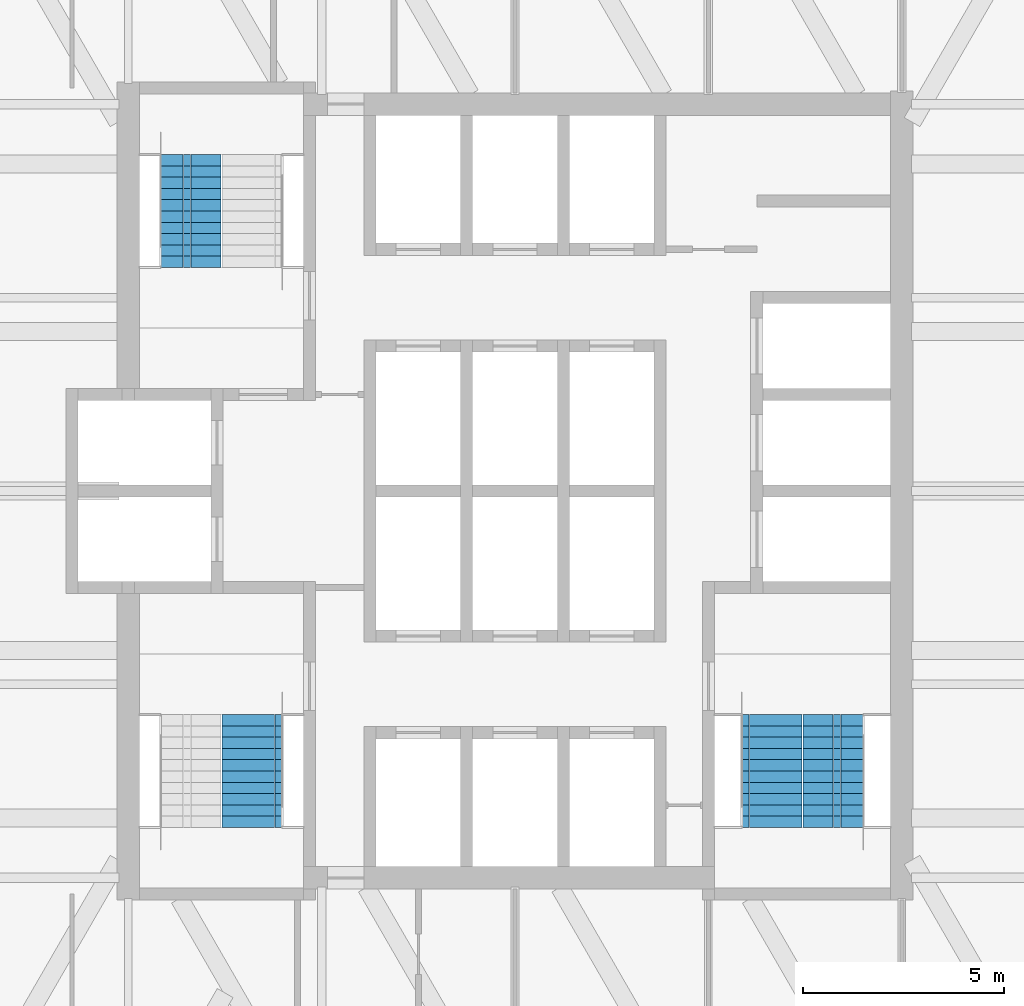
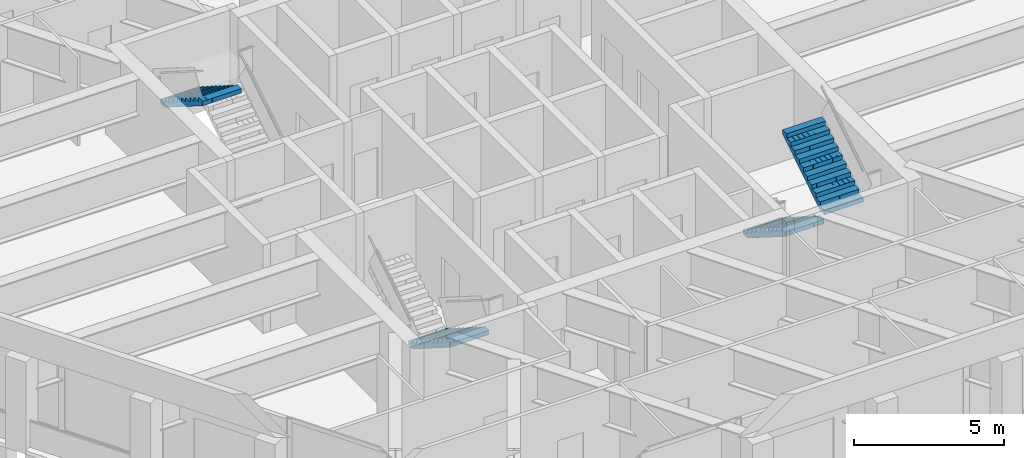
# One storey, part 11 of 14: 4 stair flights, 3 elements without a shape of their own.
"""IFC4 building model written with IfcOpenShell, lengths in metres."""

from ifc_helpers import new_model, si_unit, direction, frame, origin, place, context, subcontext, project, spatial, polyline, outline, extrude, material, type_object, element, aggregate, save


model = new_model("IFC4")

# Units and contexts
model_context = context("Model", 3, precision=1e-05, world=origin(), true_north=direction((0.0, 1.0)))
body_context = subcontext(model_context, "Body", "Model", "MODEL_VIEW")
ifc_project = project(units=[si_unit("LENGTHUNIT", "METRE"), si_unit("AREAUNIT", "SQUARE_METRE"), si_unit("VOLUMEUNIT", "CUBIC_METRE"), si_unit("PLANEANGLEUNIT", "RADIAN"), si_unit("MASSUNIT", "GRAM", prefix="KILO")], contexts=[model_context])

# Site, building, storey
site_placement = place(None, origin())
site = spatial("IfcSite", under=ifc_project, at=site_placement, CompositionType="ELEMENT")
building_placement = place(site_placement, origin())
building = spatial("IfcBuilding", under=site, at=building_placement, Name="Kolab Exchange Tower", CompositionType="ELEMENT")
storey_placement = place(building_placement, frame((0.0, 0.0, 293.0)))
storey = spatial("IfcBuildingStorey", under=building, at=storey_placement, Name="L66", CompositionType="ELEMENT", Elevation=293.0)

# Stair, stair flight
ifc_material = material(Name="Concrete C50/60", Category="concrete")
stair_type_1 = type_object("IfcStairType", Name="STAIR ST1 RISER 177.3", PredefinedType="HALF_TURN_STAIR", material=ifc_material)
stair_1_placement = place(storey_placement, origin())
stair_1 = element("IfcStair", 1, at=stair_1_placement, inside=storey, type_object=stair_type_1, Name="Stair 1", PredefinedType="HALF_TURN_STAIR")
stair_flight_type = type_object("IfcStairFlightType", Name="STAIR FLIGHT 1500 RISER 177.3", PredefinedType="STRAIGHT", material=ifc_material)
stair_flight_1_placement = place(storey_placement, frame((-8.047607421875, 8.35009765625, 1.949951171875), z_axis=(0.0, 0.0, 1.0), x_axis=(0.0, -1.0, 0.0)))
stair_flight_1 = element("IfcStairFlight", 2, at=stair_flight_1_placement, type_object=stair_flight_type, Name="ST1 flight 2", NumberOfRisers=11, NumberOfTreads=10, PredefinedType="STRAIGHT", RiserHeight=0.177272727, TreadLength=0.28, context=body_context, shape_type="SweptSolid", body=[
    extrude(outline(polyline([(0.0, 0.0), (0.0, 0.17724609375), (0.280029296875, 0.17724609375), (0.280029296875, 0.3544921875), (0.56005859375, 0.3544921875), (0.56005859375, 0.53173828125), (0.840087890625, 0.53173828125), (0.840087890625, 0.708984375), (1.1201171875, 0.708984375), (1.1201171875, 0.886474609375), (1.39990234375, 0.886474609375), (1.39990234375, 1.063720703125), (1.679931640625, 1.063720703125), (1.679931640625, 1.240966796875), (1.9599609375, 1.240966796875), (1.9599609375, 1.418212890625), (2.239990234375, 1.418212890625), (2.239990234375, 1.595458984375), (2.52001953125, 1.595458984375), (2.52001953125, 1.772705078125), (2.800048828125, 1.772705078125), (2.800048828125, 1.949951171875), (2.800048828125, 1.59521484375), (0.2802734375, 0.0), (0.0, 0.0)])), frame((0.0, 0.75, 0.0), z_axis=(0.0, -1.0, 0.0), x_axis=(1.0, 0.0, 0.0)), (0.0, 0.0, 1.0), 0.185791015625),
    extrude(outline(polyline([(0.0, 0.0), (0.0, 0.17724609375), (0.280029296875, 0.17724609375), (0.280029296875, 0.3544921875), (0.56005859375, 0.3544921875), (0.56005859375, 0.53173828125), (0.840087890625, 0.53173828125), (0.840087890625, 0.708984375), (1.1201171875, 0.708984375), (1.1201171875, 0.886474609375), (1.39990234375, 0.886474609375), (1.39990234375, 1.063720703125), (1.679931640625, 1.063720703125), (1.679931640625, 1.240966796875), (1.9599609375, 1.240966796875), (1.9599609375, 1.418212890625), (2.239990234375, 1.418212890625), (2.239990234375, 1.595458984375), (2.52001953125, 1.595458984375), (2.52001953125, 1.772705078125), (2.800048828125, 1.772705078125), (2.800048828125, 1.949951171875), (2.800048828125, 1.59521484375), (0.2802734375, 0.0), (0.0, 0.0)])), frame((0.0, 0.562255859375, 0.0), z_axis=(0.0, -1.0, 0.0), x_axis=(1.0, 0.0, 0.0)), (0.0, 0.0, 1.0), 0.185791015625),
    extrude(outline(polyline([(0.0, 0.0), (0.0, 0.17724609375), (0.280029296875, 0.17724609375), (0.280029296875, 0.3544921875), (0.56005859375, 0.3544921875), (0.56005859375, 0.53173828125), (0.840087890625, 0.53173828125), (0.840087890625, 0.708984375), (1.1201171875, 0.708984375), (1.1201171875, 0.886474609375), (1.39990234375, 0.886474609375), (1.39990234375, 1.063720703125), (1.679931640625, 1.063720703125), (1.679931640625, 1.240966796875), (1.9599609375, 1.240966796875), (1.9599609375, 1.418212890625), (2.239990234375, 1.418212890625), (2.239990234375, 1.595458984375), (2.52001953125, 1.595458984375), (2.52001953125, 1.772705078125), (2.800048828125, 1.772705078125), (2.800048828125, 1.949951171875), (2.800048828125, 1.59521484375), (0.2802734375, 0.0), (0.0, 0.0)])), frame((0.0, 0.37451171875, 0.0), z_axis=(0.0, -1.0, 0.0), x_axis=(1.0, 0.0, 0.0)), (0.0, 0.0, 1.0), 0.185791015625),
    extrude(outline(polyline([(0.0, 0.0), (0.0, 0.17724609375), (0.280029296875, 0.17724609375), (0.280029296875, 0.3544921875), (0.56005859375, 0.3544921875), (0.56005859375, 0.53173828125), (0.840087890625, 0.53173828125), (0.840087890625, 0.708984375), (1.1201171875, 0.708984375), (1.1201171875, 0.886474609375), (1.39990234375, 0.886474609375), (1.39990234375, 1.063720703125), (1.679931640625, 1.063720703125), (1.679931640625, 1.240966796875), (1.9599609375, 1.240966796875), (1.9599609375, 1.418212890625), (2.239990234375, 1.418212890625), (2.239990234375, 1.595458984375), (2.52001953125, 1.595458984375), (2.52001953125, 1.772705078125), (2.800048828125, 1.772705078125), (2.800048828125, 1.949951171875), (2.800048828125, 1.59521484375), (0.2802734375, 0.0), (0.0, 0.0)])), frame((0.0, 0.186767578125, 0.0), z_axis=(0.0, -1.0, 0.0), x_axis=(1.0, 0.0, 0.0)), (0.0, 0.0, 1.0), 0.185791015625),
    extrude(outline(polyline([(0.0, 0.0), (0.0, 0.17724609375), (0.280029296875, 0.17724609375), (0.280029296875, 0.3544921875), (0.56005859375, 0.3544921875), (0.56005859375, 0.53173828125), (0.840087890625, 0.53173828125), (0.840087890625, 0.708984375), (1.1201171875, 0.708984375), (1.1201171875, 0.886474609375), (1.39990234375, 0.886474609375), (1.39990234375, 1.063720703125), (1.679931640625, 1.063720703125), (1.679931640625, 1.240966796875), (1.9599609375, 1.240966796875), (1.9599609375, 1.418212890625), (2.239990234375, 1.418212890625), (2.239990234375, 1.595458984375), (2.52001953125, 1.595458984375), (2.52001953125, 1.772705078125), (2.800048828125, 1.772705078125), (2.800048828125, 1.949951171875), (2.800048828125, 1.59521484375), (0.2802734375, 0.0), (0.0, 0.0)])), frame((0.0, -0.0009765625, 0.0), z_axis=(0.0, -1.0, 0.0), x_axis=(1.0, 0.0, 0.0)), (0.0, 0.0, 1.0), 0.185791015625),
    extrude(outline(polyline([(0.0, 0.0), (0.0, 0.17724609375), (0.280029296875, 0.17724609375), (0.280029296875, 0.3544921875), (0.56005859375, 0.3544921875), (0.56005859375, 0.53173828125), (0.840087890625, 0.53173828125), (0.840087890625, 0.708984375), (1.1201171875, 0.708984375), (1.1201171875, 0.886474609375), (1.39990234375, 0.886474609375), (1.39990234375, 1.063720703125), (1.679931640625, 1.063720703125), (1.679931640625, 1.240966796875), (1.9599609375, 1.240966796875), (1.9599609375, 1.418212890625), (2.239990234375, 1.418212890625), (2.239990234375, 1.595458984375), (2.52001953125, 1.595458984375), (2.52001953125, 1.772705078125), (2.800048828125, 1.772705078125), (2.800048828125, 1.949951171875), (2.800048828125, 1.59521484375), (0.2802734375, 0.0), (0.0, 0.0)])), frame((0.0, -0.188720703125, 0.0), z_axis=(0.0, -1.0, 0.0), x_axis=(1.0, 0.0, 0.0)), (0.0, 0.0, 1.0), 0.185791015625),
    extrude(outline(polyline([(0.0, 0.0), (0.0, 0.17724609375), (0.280029296875, 0.17724609375), (0.280029296875, 0.3544921875), (0.56005859375, 0.3544921875), (0.56005859375, 0.53173828125), (0.840087890625, 0.53173828125), (0.840087890625, 0.708984375), (1.1201171875, 0.708984375), (1.1201171875, 0.886474609375), (1.39990234375, 0.886474609375), (1.39990234375, 1.063720703125), (1.679931640625, 1.063720703125), (1.679931640625, 1.240966796875), (1.9599609375, 1.240966796875), (1.9599609375, 1.418212890625), (2.239990234375, 1.418212890625), (2.239990234375, 1.595458984375), (2.52001953125, 1.595458984375), (2.52001953125, 1.772705078125), (2.800048828125, 1.772705078125), (2.800048828125, 1.949951171875), (2.800048828125, 1.59521484375), (0.2802734375, 0.0), (0.0, 0.0)])), frame((0.0, -0.37646484375, 0.0), z_axis=(0.0, -1.0, 0.0), x_axis=(1.0, 0.0, 0.0)), (0.0, 0.0, 1.0), 0.185791015625),
    extrude(outline(polyline([(0.0, 0.0), (0.0, 0.17724609375), (0.280029296875, 0.17724609375), (0.280029296875, 0.3544921875), (0.56005859375, 0.3544921875), (0.56005859375, 0.53173828125), (0.840087890625, 0.53173828125), (0.840087890625, 0.708984375), (1.1201171875, 0.708984375), (1.1201171875, 0.886474609375), (1.39990234375, 0.886474609375), (1.39990234375, 1.063720703125), (1.679931640625, 1.063720703125), (1.679931640625, 1.240966796875), (1.9599609375, 1.240966796875), (1.9599609375, 1.418212890625), (2.239990234375, 1.418212890625), (2.239990234375, 1.595458984375), (2.52001953125, 1.595458984375), (2.52001953125, 1.772705078125), (2.800048828125, 1.772705078125), (2.800048828125, 1.949951171875), (2.800048828125, 1.59521484375), (0.2802734375, 0.0), (0.0, 0.0)])), frame((0.0, -0.564208984375, 0.0), z_axis=(0.0, -1.0, 0.0), x_axis=(1.0, 0.0, 0.0)), (0.0, 0.0, 1.0), 0.185791015625),
])
aggregate(stair_1, [stair_flight_1])

stair_type_2 = type_object("IfcStairType", Name="STAIR ST3 RISER 177.3", PredefinedType="HALF_TURN_STAIR", material=ifc_material)
stair_2_placement = place(storey_placement, origin())
stair_2 = element("IfcStair", 3, at=stair_2_placement, inside=storey, type_object=stair_type_2, Name="Stair 3", PredefinedType="HALF_TURN_STAIR")
stair_flight_2_placement = place(storey_placement, frame((-6.527587890625, -5.550048828125, 0.0), z_axis=(0.0, 0.0, 1.0), x_axis=(0.0, -1.0, 0.0)))
stair_flight_2 = element("IfcStairFlight", 4, at=stair_flight_2_placement, type_object=stair_flight_type, Name="ST3 flight 1", NumberOfRisers=11, NumberOfTreads=10, PredefinedType="STRAIGHT", RiserHeight=0.177272727, TreadLength=0.28, context=body_context, shape_type="SweptSolid", body=[
    extrude(outline(polyline([(0.0, 0.0), (0.0, 0.17724609375), (0.280029296875, 0.17724609375), (0.280029296875, 0.3544921875), (0.56005859375, 0.3544921875), (0.56005859375, 0.53173828125), (0.840087890625, 0.53173828125), (0.840087890625, 0.708984375), (1.1201171875, 0.708984375), (1.1201171875, 0.886474609375), (1.39990234375, 0.886474609375), (1.39990234375, 1.063720703125), (1.679931640625, 1.063720703125), (1.679931640625, 1.240966796875), (1.9599609375, 1.240966796875), (1.9599609375, 1.418212890625), (2.239990234375, 1.418212890625), (2.239990234375, 1.595458984375), (2.52001953125, 1.595458984375), (2.52001953125, 1.772705078125), (2.800048828125, 1.772705078125), (2.800048828125, 1.949951171875), (2.800048828125, 1.59521484375), (0.2802734375, 0.0), (0.0, 0.0)])), frame((0.0, 0.75, 0.0), z_axis=(0.0, -1.0, 0.0), x_axis=(1.0, 0.0, 0.0)), (0.0, 0.0, 1.0), 0.185791015625),
    extrude(outline(polyline([(0.0, 0.0), (0.0, 0.17724609375), (0.280029296875, 0.17724609375), (0.280029296875, 0.3544921875), (0.56005859375, 0.3544921875), (0.56005859375, 0.53173828125), (0.840087890625, 0.53173828125), (0.840087890625, 0.708984375), (1.1201171875, 0.708984375), (1.1201171875, 0.886474609375), (1.39990234375, 0.886474609375), (1.39990234375, 1.063720703125), (1.679931640625, 1.063720703125), (1.679931640625, 1.240966796875), (1.9599609375, 1.240966796875), (1.9599609375, 1.418212890625), (2.239990234375, 1.418212890625), (2.239990234375, 1.595458984375), (2.52001953125, 1.595458984375), (2.52001953125, 1.772705078125), (2.800048828125, 1.772705078125), (2.800048828125, 1.949951171875), (2.800048828125, 1.59521484375), (0.2802734375, 0.0), (0.0, 0.0)])), frame((0.0, 0.562255859375, 0.0), z_axis=(0.0, -1.0, 0.0), x_axis=(1.0, 0.0, 0.0)), (0.0, 0.0, 1.0), 0.185791015625),
    extrude(outline(polyline([(0.0, 0.0), (0.0, 0.17724609375), (0.280029296875, 0.17724609375), (0.280029296875, 0.3544921875), (0.56005859375, 0.3544921875), (0.56005859375, 0.53173828125), (0.840087890625, 0.53173828125), (0.840087890625, 0.708984375), (1.1201171875, 0.708984375), (1.1201171875, 0.886474609375), (1.39990234375, 0.886474609375), (1.39990234375, 1.063720703125), (1.679931640625, 1.063720703125), (1.679931640625, 1.240966796875), (1.9599609375, 1.240966796875), (1.9599609375, 1.418212890625), (2.239990234375, 1.418212890625), (2.239990234375, 1.595458984375), (2.52001953125, 1.595458984375), (2.52001953125, 1.772705078125), (2.800048828125, 1.772705078125), (2.800048828125, 1.949951171875), (2.800048828125, 1.59521484375), (0.2802734375, 0.0), (0.0, 0.0)])), frame((0.0, 0.37451171875, 0.0), z_axis=(0.0, -1.0, 0.0), x_axis=(1.0, 0.0, 0.0)), (0.0, 0.0, 1.0), 0.185791015625),
    extrude(outline(polyline([(0.0, 0.0), (0.0, 0.17724609375), (0.280029296875, 0.17724609375), (0.280029296875, 0.3544921875), (0.56005859375, 0.3544921875), (0.56005859375, 0.53173828125), (0.840087890625, 0.53173828125), (0.840087890625, 0.708984375), (1.1201171875, 0.708984375), (1.1201171875, 0.886474609375), (1.39990234375, 0.886474609375), (1.39990234375, 1.063720703125), (1.679931640625, 1.063720703125), (1.679931640625, 1.240966796875), (1.9599609375, 1.240966796875), (1.9599609375, 1.418212890625), (2.239990234375, 1.418212890625), (2.239990234375, 1.595458984375), (2.52001953125, 1.595458984375), (2.52001953125, 1.772705078125), (2.800048828125, 1.772705078125), (2.800048828125, 1.949951171875), (2.800048828125, 1.59521484375), (0.2802734375, 0.0), (0.0, 0.0)])), frame((0.0, 0.186767578125, 0.0), z_axis=(0.0, -1.0, 0.0), x_axis=(1.0, 0.0, 0.0)), (0.0, 0.0, 1.0), 0.185791015625),
    extrude(outline(polyline([(0.0, 0.0), (0.0, 0.17724609375), (0.280029296875, 0.17724609375), (0.280029296875, 0.3544921875), (0.56005859375, 0.3544921875), (0.56005859375, 0.53173828125), (0.840087890625, 0.53173828125), (0.840087890625, 0.708984375), (1.1201171875, 0.708984375), (1.1201171875, 0.886474609375), (1.39990234375, 0.886474609375), (1.39990234375, 1.063720703125), (1.679931640625, 1.063720703125), (1.679931640625, 1.240966796875), (1.9599609375, 1.240966796875), (1.9599609375, 1.418212890625), (2.239990234375, 1.418212890625), (2.239990234375, 1.595458984375), (2.52001953125, 1.595458984375), (2.52001953125, 1.772705078125), (2.800048828125, 1.772705078125), (2.800048828125, 1.949951171875), (2.800048828125, 1.59521484375), (0.2802734375, 0.0), (0.0, 0.0)])), frame((0.0, -0.0009765625, 0.0), z_axis=(0.0, -1.0, 0.0), x_axis=(1.0, 0.0, 0.0)), (0.0, 0.0, 1.0), 0.185791015625),
    extrude(outline(polyline([(0.0, 0.0), (0.0, 0.17724609375), (0.280029296875, 0.17724609375), (0.280029296875, 0.3544921875), (0.56005859375, 0.3544921875), (0.56005859375, 0.53173828125), (0.840087890625, 0.53173828125), (0.840087890625, 0.708984375), (1.1201171875, 0.708984375), (1.1201171875, 0.886474609375), (1.39990234375, 0.886474609375), (1.39990234375, 1.063720703125), (1.679931640625, 1.063720703125), (1.679931640625, 1.240966796875), (1.9599609375, 1.240966796875), (1.9599609375, 1.418212890625), (2.239990234375, 1.418212890625), (2.239990234375, 1.595458984375), (2.52001953125, 1.595458984375), (2.52001953125, 1.772705078125), (2.800048828125, 1.772705078125), (2.800048828125, 1.949951171875), (2.800048828125, 1.59521484375), (0.2802734375, 0.0), (0.0, 0.0)])), frame((0.0, -0.188720703125, 0.0), z_axis=(0.0, -1.0, 0.0), x_axis=(1.0, 0.0, 0.0)), (0.0, 0.0, 1.0), 0.185791015625),
    extrude(outline(polyline([(0.0, 0.0), (0.0, 0.17724609375), (0.280029296875, 0.17724609375), (0.280029296875, 0.3544921875), (0.56005859375, 0.3544921875), (0.56005859375, 0.53173828125), (0.840087890625, 0.53173828125), (0.840087890625, 0.708984375), (1.1201171875, 0.708984375), (1.1201171875, 0.886474609375), (1.39990234375, 0.886474609375), (1.39990234375, 1.063720703125), (1.679931640625, 1.063720703125), (1.679931640625, 1.240966796875), (1.9599609375, 1.240966796875), (1.9599609375, 1.418212890625), (2.239990234375, 1.418212890625), (2.239990234375, 1.595458984375), (2.52001953125, 1.595458984375), (2.52001953125, 1.772705078125), (2.800048828125, 1.772705078125), (2.800048828125, 1.949951171875), (2.800048828125, 1.59521484375), (0.2802734375, 0.0), (0.0, 0.0)])), frame((0.0, -0.37646484375, 0.0), z_axis=(0.0, -1.0, 0.0), x_axis=(1.0, 0.0, 0.0)), (0.0, 0.0, 1.0), 0.185791015625),
    extrude(outline(polyline([(0.0, 0.0), (0.0, 0.17724609375), (0.280029296875, 0.17724609375), (0.280029296875, 0.3544921875), (0.56005859375, 0.3544921875), (0.56005859375, 0.53173828125), (0.840087890625, 0.53173828125), (0.840087890625, 0.708984375), (1.1201171875, 0.708984375), (1.1201171875, 0.886474609375), (1.39990234375, 0.886474609375), (1.39990234375, 1.063720703125), (1.679931640625, 1.063720703125), (1.679931640625, 1.240966796875), (1.9599609375, 1.240966796875), (1.9599609375, 1.418212890625), (2.239990234375, 1.418212890625), (2.239990234375, 1.595458984375), (2.52001953125, 1.595458984375), (2.52001953125, 1.772705078125), (2.800048828125, 1.772705078125), (2.800048828125, 1.949951171875), (2.800048828125, 1.59521484375), (0.2802734375, 0.0), (0.0, 0.0)])), frame((0.0, -0.564208984375, 0.0), z_axis=(0.0, -1.0, 0.0), x_axis=(1.0, 0.0, 0.0)), (0.0, 0.0, 1.0), 0.185791015625),
])
aggregate(stair_2, [stair_flight_2])

# Stair, stair flights
stair_type_3 = type_object("IfcStairType", Name="STAIR ST2 RISER 177.3", PredefinedType="HALF_TURN_STAIR", material=ifc_material)
stair_3_placement = place(storey_placement, origin())
stair_3 = element("IfcStair", 5, at=stair_3_placement, inside=storey, type_object=stair_type_3, Name="Stair 2", PredefinedType="HALF_TURN_STAIR")
stair_flight_3_placement = place(storey_placement, frame((6.37744140625, -5.550048828125, 0.0), z_axis=(0.0, 0.0, 1.0), x_axis=(0.0, -1.0, 0.0)))
stair_flight_3 = element("IfcStairFlight", 6, at=stair_flight_3_placement, type_object=stair_flight_type, Name="ST2 flight 1", NumberOfRisers=11, NumberOfTreads=10, PredefinedType="STRAIGHT", RiserHeight=0.177272727, TreadLength=0.28, context=body_context, shape_type="SweptSolid", body=[
    extrude(outline(polyline([(0.0, 0.0), (0.0, 0.17724609375), (0.280029296875, 0.17724609375), (0.280029296875, 0.3544921875), (0.56005859375, 0.3544921875), (0.56005859375, 0.53173828125), (0.840087890625, 0.53173828125), (0.840087890625, 0.708984375), (1.1201171875, 0.708984375), (1.1201171875, 0.886474609375), (1.39990234375, 0.886474609375), (1.39990234375, 1.063720703125), (1.679931640625, 1.063720703125), (1.679931640625, 1.240966796875), (1.9599609375, 1.240966796875), (1.9599609375, 1.418212890625), (2.239990234375, 1.418212890625), (2.239990234375, 1.595458984375), (2.52001953125, 1.595458984375), (2.52001953125, 1.772705078125), (2.800048828125, 1.772705078125), (2.800048828125, 1.949951171875), (2.800048828125, 1.59521484375), (0.2802734375, 0.0), (0.0, 0.0)])), frame((0.0, 0.75, 0.0), z_axis=(0.0, -1.0, 0.0), x_axis=(1.0, 0.0, 0.0)), (0.0, 0.0, 1.0), 0.185791015625),
    extrude(outline(polyline([(0.0, 0.0), (0.0, 0.17724609375), (0.280029296875, 0.17724609375), (0.280029296875, 0.3544921875), (0.56005859375, 0.3544921875), (0.56005859375, 0.53173828125), (0.840087890625, 0.53173828125), (0.840087890625, 0.708984375), (1.1201171875, 0.708984375), (1.1201171875, 0.886474609375), (1.39990234375, 0.886474609375), (1.39990234375, 1.063720703125), (1.679931640625, 1.063720703125), (1.679931640625, 1.240966796875), (1.9599609375, 1.240966796875), (1.9599609375, 1.418212890625), (2.239990234375, 1.418212890625), (2.239990234375, 1.595458984375), (2.52001953125, 1.595458984375), (2.52001953125, 1.772705078125), (2.800048828125, 1.772705078125), (2.800048828125, 1.949951171875), (2.800048828125, 1.59521484375), (0.2802734375, 0.0), (0.0, 0.0)])), frame((0.0, 0.562255859375, 0.0), z_axis=(0.0, -1.0, 0.0), x_axis=(1.0, 0.0, 0.0)), (0.0, 0.0, 1.0), 0.185791015625),
    extrude(outline(polyline([(0.0, 0.0), (0.0, 0.17724609375), (0.280029296875, 0.17724609375), (0.280029296875, 0.3544921875), (0.56005859375, 0.3544921875), (0.56005859375, 0.53173828125), (0.840087890625, 0.53173828125), (0.840087890625, 0.708984375), (1.1201171875, 0.708984375), (1.1201171875, 0.886474609375), (1.39990234375, 0.886474609375), (1.39990234375, 1.063720703125), (1.679931640625, 1.063720703125), (1.679931640625, 1.240966796875), (1.9599609375, 1.240966796875), (1.9599609375, 1.418212890625), (2.239990234375, 1.418212890625), (2.239990234375, 1.595458984375), (2.52001953125, 1.595458984375), (2.52001953125, 1.772705078125), (2.800048828125, 1.772705078125), (2.800048828125, 1.949951171875), (2.800048828125, 1.59521484375), (0.2802734375, 0.0), (0.0, 0.0)])), frame((0.0, 0.37451171875, 0.0), z_axis=(0.0, -1.0, 0.0), x_axis=(1.0, 0.0, 0.0)), (0.0, 0.0, 1.0), 0.185791015625),
    extrude(outline(polyline([(0.0, 0.0), (0.0, 0.17724609375), (0.280029296875, 0.17724609375), (0.280029296875, 0.3544921875), (0.56005859375, 0.3544921875), (0.56005859375, 0.53173828125), (0.840087890625, 0.53173828125), (0.840087890625, 0.708984375), (1.1201171875, 0.708984375), (1.1201171875, 0.886474609375), (1.39990234375, 0.886474609375), (1.39990234375, 1.063720703125), (1.679931640625, 1.063720703125), (1.679931640625, 1.240966796875), (1.9599609375, 1.240966796875), (1.9599609375, 1.418212890625), (2.239990234375, 1.418212890625), (2.239990234375, 1.595458984375), (2.52001953125, 1.595458984375), (2.52001953125, 1.772705078125), (2.800048828125, 1.772705078125), (2.800048828125, 1.949951171875), (2.800048828125, 1.59521484375), (0.2802734375, 0.0), (0.0, 0.0)])), frame((0.0, 0.186767578125, 0.0), z_axis=(0.0, -1.0, 0.0), x_axis=(1.0, 0.0, 0.0)), (0.0, 0.0, 1.0), 0.185791015625),
    extrude(outline(polyline([(0.0, 0.0), (0.0, 0.17724609375), (0.280029296875, 0.17724609375), (0.280029296875, 0.3544921875), (0.56005859375, 0.3544921875), (0.56005859375, 0.53173828125), (0.840087890625, 0.53173828125), (0.840087890625, 0.708984375), (1.1201171875, 0.708984375), (1.1201171875, 0.886474609375), (1.39990234375, 0.886474609375), (1.39990234375, 1.063720703125), (1.679931640625, 1.063720703125), (1.679931640625, 1.240966796875), (1.9599609375, 1.240966796875), (1.9599609375, 1.418212890625), (2.239990234375, 1.418212890625), (2.239990234375, 1.595458984375), (2.52001953125, 1.595458984375), (2.52001953125, 1.772705078125), (2.800048828125, 1.772705078125), (2.800048828125, 1.949951171875), (2.800048828125, 1.59521484375), (0.2802734375, 0.0), (0.0, 0.0)])), frame((0.0, -0.0009765625, 0.0), z_axis=(0.0, -1.0, 0.0), x_axis=(1.0, 0.0, 0.0)), (0.0, 0.0, 1.0), 0.185791015625),
    extrude(outline(polyline([(0.0, 0.0), (0.0, 0.17724609375), (0.280029296875, 0.17724609375), (0.280029296875, 0.3544921875), (0.56005859375, 0.3544921875), (0.56005859375, 0.53173828125), (0.840087890625, 0.53173828125), (0.840087890625, 0.708984375), (1.1201171875, 0.708984375), (1.1201171875, 0.886474609375), (1.39990234375, 0.886474609375), (1.39990234375, 1.063720703125), (1.679931640625, 1.063720703125), (1.679931640625, 1.240966796875), (1.9599609375, 1.240966796875), (1.9599609375, 1.418212890625), (2.239990234375, 1.418212890625), (2.239990234375, 1.595458984375), (2.52001953125, 1.595458984375), (2.52001953125, 1.772705078125), (2.800048828125, 1.772705078125), (2.800048828125, 1.949951171875), (2.800048828125, 1.59521484375), (0.2802734375, 0.0), (0.0, 0.0)])), frame((0.0, -0.188720703125, 0.0), z_axis=(0.0, -1.0, 0.0), x_axis=(1.0, 0.0, 0.0)), (0.0, 0.0, 1.0), 0.185791015625),
    extrude(outline(polyline([(0.0, 0.0), (0.0, 0.17724609375), (0.280029296875, 0.17724609375), (0.280029296875, 0.3544921875), (0.56005859375, 0.3544921875), (0.56005859375, 0.53173828125), (0.840087890625, 0.53173828125), (0.840087890625, 0.708984375), (1.1201171875, 0.708984375), (1.1201171875, 0.886474609375), (1.39990234375, 0.886474609375), (1.39990234375, 1.063720703125), (1.679931640625, 1.063720703125), (1.679931640625, 1.240966796875), (1.9599609375, 1.240966796875), (1.9599609375, 1.418212890625), (2.239990234375, 1.418212890625), (2.239990234375, 1.595458984375), (2.52001953125, 1.595458984375), (2.52001953125, 1.772705078125), (2.800048828125, 1.772705078125), (2.800048828125, 1.949951171875), (2.800048828125, 1.59521484375), (0.2802734375, 0.0), (0.0, 0.0)])), frame((0.0, -0.37646484375, 0.0), z_axis=(0.0, -1.0, 0.0), x_axis=(1.0, 0.0, 0.0)), (0.0, 0.0, 1.0), 0.185791015625),
    extrude(outline(polyline([(0.0, 0.0), (0.0, 0.17724609375), (0.280029296875, 0.17724609375), (0.280029296875, 0.3544921875), (0.56005859375, 0.3544921875), (0.56005859375, 0.53173828125), (0.840087890625, 0.53173828125), (0.840087890625, 0.708984375), (1.1201171875, 0.708984375), (1.1201171875, 0.886474609375), (1.39990234375, 0.886474609375), (1.39990234375, 1.063720703125), (1.679931640625, 1.063720703125), (1.679931640625, 1.240966796875), (1.9599609375, 1.240966796875), (1.9599609375, 1.418212890625), (2.239990234375, 1.418212890625), (2.239990234375, 1.595458984375), (2.52001953125, 1.595458984375), (2.52001953125, 1.772705078125), (2.800048828125, 1.772705078125), (2.800048828125, 1.949951171875), (2.800048828125, 1.59521484375), (0.2802734375, 0.0), (0.0, 0.0)])), frame((0.0, -0.564208984375, 0.0), z_axis=(0.0, -1.0, 0.0), x_axis=(1.0, 0.0, 0.0)), (0.0, 0.0, 1.0), 0.185791015625),
])
stair_flight_4_placement = place(storey_placement, frame((7.8974609375, -8.35009765625, 1.949951171875), z_axis=(0.0, 0.0, 1.0), x_axis=(0.0, 1.0, 0.0)))
stair_flight_4 = element("IfcStairFlight", 7, at=stair_flight_4_placement, type_object=stair_flight_type, Name="ST2 flight 2", NumberOfRisers=11, NumberOfTreads=10, PredefinedType="STRAIGHT", RiserHeight=0.177272727, TreadLength=0.28, context=body_context, shape_type="SweptSolid", body=[
    extrude(outline(polyline([(0.0, 0.0), (0.0, 0.17724609375), (0.280029296875, 0.17724609375), (0.280029296875, 0.3544921875), (0.56005859375, 0.3544921875), (0.56005859375, 0.53173828125), (0.840087890625, 0.53173828125), (0.840087890625, 0.708984375), (1.1201171875, 0.708984375), (1.1201171875, 0.886474609375), (1.39990234375, 0.886474609375), (1.39990234375, 1.063720703125), (1.679931640625, 1.063720703125), (1.679931640625, 1.240966796875), (1.9599609375, 1.240966796875), (1.9599609375, 1.418212890625), (2.239990234375, 1.418212890625), (2.239990234375, 1.595458984375), (2.52001953125, 1.595458984375), (2.52001953125, 1.772705078125), (2.800048828125, 1.772705078125), (2.800048828125, 1.949951171875), (2.800048828125, 1.59521484375), (0.2802734375, 0.0), (0.0, 0.0)])), frame((0.0, 0.75, 0.0), z_axis=(0.0, -1.0, 0.0), x_axis=(1.0, 0.0, 0.0)), (0.0, 0.0, 1.0), 0.185791015625),
    extrude(outline(polyline([(0.0, 0.0), (0.0, 0.17724609375), (0.280029296875, 0.17724609375), (0.280029296875, 0.3544921875), (0.56005859375, 0.3544921875), (0.56005859375, 0.53173828125), (0.840087890625, 0.53173828125), (0.840087890625, 0.708984375), (1.1201171875, 0.708984375), (1.1201171875, 0.886474609375), (1.39990234375, 0.886474609375), (1.39990234375, 1.063720703125), (1.679931640625, 1.063720703125), (1.679931640625, 1.240966796875), (1.9599609375, 1.240966796875), (1.9599609375, 1.418212890625), (2.239990234375, 1.418212890625), (2.239990234375, 1.595458984375), (2.52001953125, 1.595458984375), (2.52001953125, 1.772705078125), (2.800048828125, 1.772705078125), (2.800048828125, 1.949951171875), (2.800048828125, 1.59521484375), (0.2802734375, 0.0), (0.0, 0.0)])), frame((0.0, 0.562255859375, 0.0), z_axis=(0.0, -1.0, 0.0), x_axis=(1.0, 0.0, 0.0)), (0.0, 0.0, 1.0), 0.185791015625),
    extrude(outline(polyline([(0.0, 0.0), (0.0, 0.17724609375), (0.280029296875, 0.17724609375), (0.280029296875, 0.3544921875), (0.56005859375, 0.3544921875), (0.56005859375, 0.53173828125), (0.840087890625, 0.53173828125), (0.840087890625, 0.708984375), (1.1201171875, 0.708984375), (1.1201171875, 0.886474609375), (1.39990234375, 0.886474609375), (1.39990234375, 1.063720703125), (1.679931640625, 1.063720703125), (1.679931640625, 1.240966796875), (1.9599609375, 1.240966796875), (1.9599609375, 1.418212890625), (2.239990234375, 1.418212890625), (2.239990234375, 1.595458984375), (2.52001953125, 1.595458984375), (2.52001953125, 1.772705078125), (2.800048828125, 1.772705078125), (2.800048828125, 1.949951171875), (2.800048828125, 1.59521484375), (0.2802734375, 0.0), (0.0, 0.0)])), frame((0.0, 0.37451171875, 0.0), z_axis=(0.0, -1.0, 0.0), x_axis=(1.0, 0.0, 0.0)), (0.0, 0.0, 1.0), 0.185791015625),
    extrude(outline(polyline([(0.0, 0.0), (0.0, 0.17724609375), (0.280029296875, 0.17724609375), (0.280029296875, 0.3544921875), (0.56005859375, 0.3544921875), (0.56005859375, 0.53173828125), (0.840087890625, 0.53173828125), (0.840087890625, 0.708984375), (1.1201171875, 0.708984375), (1.1201171875, 0.886474609375), (1.39990234375, 0.886474609375), (1.39990234375, 1.063720703125), (1.679931640625, 1.063720703125), (1.679931640625, 1.240966796875), (1.9599609375, 1.240966796875), (1.9599609375, 1.418212890625), (2.239990234375, 1.418212890625), (2.239990234375, 1.595458984375), (2.52001953125, 1.595458984375), (2.52001953125, 1.772705078125), (2.800048828125, 1.772705078125), (2.800048828125, 1.949951171875), (2.800048828125, 1.59521484375), (0.2802734375, 0.0), (0.0, 0.0)])), frame((0.0, 0.186767578125, 0.0), z_axis=(0.0, -1.0, 0.0), x_axis=(1.0, 0.0, 0.0)), (0.0, 0.0, 1.0), 0.185791015625),
    extrude(outline(polyline([(0.0, 0.0), (0.0, 0.17724609375), (0.280029296875, 0.17724609375), (0.280029296875, 0.3544921875), (0.56005859375, 0.3544921875), (0.56005859375, 0.53173828125), (0.840087890625, 0.53173828125), (0.840087890625, 0.708984375), (1.1201171875, 0.708984375), (1.1201171875, 0.886474609375), (1.39990234375, 0.886474609375), (1.39990234375, 1.063720703125), (1.679931640625, 1.063720703125), (1.679931640625, 1.240966796875), (1.9599609375, 1.240966796875), (1.9599609375, 1.418212890625), (2.239990234375, 1.418212890625), (2.239990234375, 1.595458984375), (2.52001953125, 1.595458984375), (2.52001953125, 1.772705078125), (2.800048828125, 1.772705078125), (2.800048828125, 1.949951171875), (2.800048828125, 1.59521484375), (0.2802734375, 0.0), (0.0, 0.0)])), frame((0.0, -0.0009765625, 0.0), z_axis=(0.0, -1.0, 0.0), x_axis=(1.0, 0.0, 0.0)), (0.0, 0.0, 1.0), 0.185791015625),
    extrude(outline(polyline([(0.0, 0.0), (0.0, 0.17724609375), (0.280029296875, 0.17724609375), (0.280029296875, 0.3544921875), (0.56005859375, 0.3544921875), (0.56005859375, 0.53173828125), (0.840087890625, 0.53173828125), (0.840087890625, 0.708984375), (1.1201171875, 0.708984375), (1.1201171875, 0.886474609375), (1.39990234375, 0.886474609375), (1.39990234375, 1.063720703125), (1.679931640625, 1.063720703125), (1.679931640625, 1.240966796875), (1.9599609375, 1.240966796875), (1.9599609375, 1.418212890625), (2.239990234375, 1.418212890625), (2.239990234375, 1.595458984375), (2.52001953125, 1.595458984375), (2.52001953125, 1.772705078125), (2.800048828125, 1.772705078125), (2.800048828125, 1.949951171875), (2.800048828125, 1.59521484375), (0.2802734375, 0.0), (0.0, 0.0)])), frame((0.0, -0.188720703125, 0.0), z_axis=(0.0, -1.0, 0.0), x_axis=(1.0, 0.0, 0.0)), (0.0, 0.0, 1.0), 0.185791015625),
    extrude(outline(polyline([(0.0, 0.0), (0.0, 0.17724609375), (0.280029296875, 0.17724609375), (0.280029296875, 0.3544921875), (0.56005859375, 0.3544921875), (0.56005859375, 0.53173828125), (0.840087890625, 0.53173828125), (0.840087890625, 0.708984375), (1.1201171875, 0.708984375), (1.1201171875, 0.886474609375), (1.39990234375, 0.886474609375), (1.39990234375, 1.063720703125), (1.679931640625, 1.063720703125), (1.679931640625, 1.240966796875), (1.9599609375, 1.240966796875), (1.9599609375, 1.418212890625), (2.239990234375, 1.418212890625), (2.239990234375, 1.595458984375), (2.52001953125, 1.595458984375), (2.52001953125, 1.772705078125), (2.800048828125, 1.772705078125), (2.800048828125, 1.949951171875), (2.800048828125, 1.59521484375), (0.2802734375, 0.0), (0.0, 0.0)])), frame((0.0, -0.37646484375, 0.0), z_axis=(0.0, -1.0, 0.0), x_axis=(1.0, 0.0, 0.0)), (0.0, 0.0, 1.0), 0.185791015625),
    extrude(outline(polyline([(0.0, 0.0), (0.0, 0.17724609375), (0.280029296875, 0.17724609375), (0.280029296875, 0.3544921875), (0.56005859375, 0.3544921875), (0.56005859375, 0.53173828125), (0.840087890625, 0.53173828125), (0.840087890625, 0.708984375), (1.1201171875, 0.708984375), (1.1201171875, 0.886474609375), (1.39990234375, 0.886474609375), (1.39990234375, 1.063720703125), (1.679931640625, 1.063720703125), (1.679931640625, 1.240966796875), (1.9599609375, 1.240966796875), (1.9599609375, 1.418212890625), (2.239990234375, 1.418212890625), (2.239990234375, 1.595458984375), (2.52001953125, 1.595458984375), (2.52001953125, 1.772705078125), (2.800048828125, 1.772705078125), (2.800048828125, 1.949951171875), (2.800048828125, 1.59521484375), (0.2802734375, 0.0), (0.0, 0.0)])), frame((0.0, -0.564208984375, 0.0), z_axis=(0.0, -1.0, 0.0), x_axis=(1.0, 0.0, 0.0)), (0.0, 0.0, 1.0), 0.185791015625),
])
aggregate(stair_3, [stair_flight_3, stair_flight_4])

save(model, "model.ifc")
